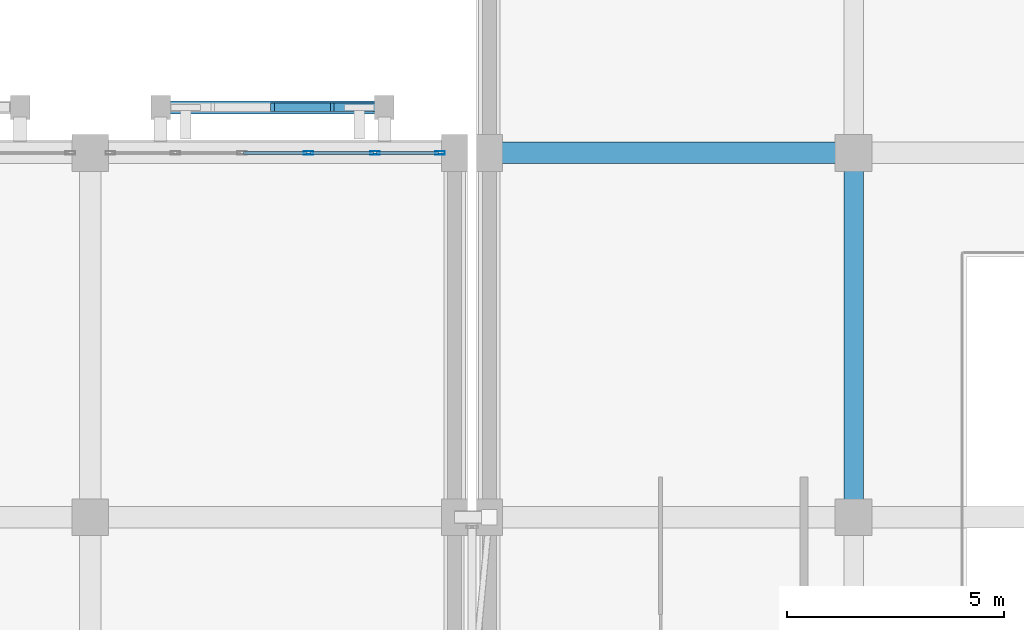
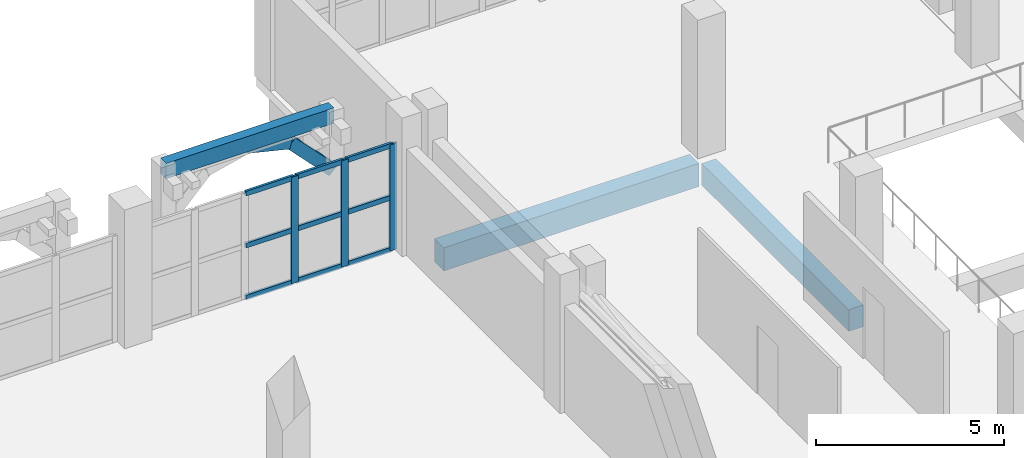
# One storey, part 66 of 137: 14 members, 3 beams, 1 element without a shape of its own.
"""IFC4 building model written with IfcOpenShell, lengths in metres."""

from ifc_helpers import new_model, si_unit, direction, frame, origin, origin_2d, place, context, subcontext, project, spatial, rectangle, hollow_rectangle, extrude, material, layer, layer_set, material_profile, profile_set, type_object, element, aggregate, save


model = new_model("IFC4")

# Units and contexts
model_context = context("Model", 3, precision=1e-05, world=origin(), true_north=direction((0.0, 1.0)))
body_context = subcontext(model_context, "Body", "Model", "MODEL_VIEW")
ifc_project = project(units=[si_unit("LENGTHUNIT", "METRE"), si_unit("AREAUNIT", "SQUARE_METRE"), si_unit("VOLUMEUNIT", "CUBIC_METRE"), si_unit("PLANEANGLEUNIT", "RADIAN"), si_unit("MASSUNIT", "GRAM", prefix="KILO")], contexts=[model_context])

# Site, building, storey
site_placement = place(None, origin())
site = spatial("IfcSite", under=ifc_project, at=site_placement, CompositionType="ELEMENT")
building_placement = place(site_placement, origin())
building = spatial("IfcBuilding", under=site, at=building_placement, Name="Xazarin Passage Department Store", CompositionType="ELEMENT")
storey_placement = place(building_placement, frame((0.0, 0.0, 5.39990234375)))
storey = spatial("IfcBuildingStorey", under=building, at=storey_placement, Name="L01", CompositionType="ELEMENT", Elevation=5.39990234375)

# Curtain wall, members
ifc_material_1 = material(Name="Bronze anodised aluminium", Category="aluminium")
ifc_layer = layer(ifc_material_1, 0.179931640625)
ifc_layer_set = layer_set([ifc_layer], Name="Bronze anodised aluminium")
curtain_wall_type = type_object("IfcCurtainWallType", Name="ARC-CW-VIT1", PredefinedType="NOTDEFINED", material=ifc_layer_set)
curtain_wall_placement = place(storey_placement, origin())
curtain_wall = element("IfcCurtainWall", 1, at=curtain_wall_placement, inside=storey, type_object=curtain_wall_type, Name="L01 V1 Curtain Wall 011", PredefinedType="NOTDEFINED")
ifc_material_profile_1 = material_profile(ifc_material_1, hollow_rectangle(XDim=0.074951171875, YDim=0.219970703125, WallThickness=0.0048828125, at=origin_2d()), Name="ALU 75x220")
ifc_profile_set_1 = profile_set([ifc_material_profile_1], Name="Bronze anodised aluminium")
member_type_1 = type_object("IfcMemberType", Name="ARC-CWM-75x220", PredefinedType="MULLION", material=ifc_profile_set_1)
member_1_placement = place(storey_placement, frame((63.830078125, 84.800048828125, 0.0), z_axis=(0.0, 0.0, 1.0), x_axis=(0.0, 1.0, 0.0)))
member_1 = element("IfcMember", 2, at=member_1_placement, type_object=member_type_1, Name="CW1 mullion 4", PredefinedType="MULLION", context=body_context, shape_type="SweptSolid", body=[
    extrude(hollow_rectangle(XDim=0.074951171875, YDim=0.219970703125, WallThickness=0.0048828125, at=origin_2d()), origin(), (0.0, 0.0, 1.0), 3.4501953125),
])
member_2_placement = place(storey_placement, frame((65.364990234375, 84.800048828125, 0.0), z_axis=(0.0, 0.0, 1.0), x_axis=(0.0, 1.0, 0.0)))
member_2 = element("IfcMember", 3, at=member_2_placement, type_object=member_type_1, Name="CW1 mullion 5", PredefinedType="MULLION", context=body_context, shape_type="SweptSolid", body=[
    extrude(hollow_rectangle(XDim=0.074951171875, YDim=0.219970703125, WallThickness=0.0048828125, at=origin_2d()), origin(), (0.0, 0.0, 1.0), 3.4501953125),
])
member_3_placement = place(storey_placement, frame((66.862548828125, 84.800048828125, 0.0), z_axis=(0.0, 0.0, 1.0), x_axis=(0.0, 1.0, 0.0)))
member_3 = element("IfcMember", 4, at=member_3_placement, type_object=member_type_1, Name="CW1 mullion 6", PredefinedType="MULLION", context=body_context, shape_type="SweptSolid", body=[
    extrude(hollow_rectangle(XDim=0.074951171875, YDim=0.219970703125, WallThickness=0.0048828125, at=origin_2d()), origin(), (0.0, 0.0, 1.0), 3.4501953125),
])
ifc_material_profile_2 = material_profile(ifc_material_1, hollow_rectangle(XDim=0.074951171875, YDim=0.159912109375, WallThickness=0.00439453125, at=origin_2d()), Name="ALU 75x160")
ifc_profile_set_2 = profile_set([ifc_material_profile_2], Name="Bronze anodised aluminium")
member_type_2 = type_object("IfcMemberType", Name="ARC-CWT-75x160", PredefinedType="USERDEFINED", material=ifc_profile_set_2)
member_4_placement = place(storey_placement, frame((62.33251953125, 84.800048828125, 0.03759765625), z_axis=(1.0, 0.0, 0.0), x_axis=(0.0, 1.0, 0.0)))
member_4 = element("IfcMember", 5, at=member_4_placement, type_object=member_type_2, Name="CW1 transom 3.1", ObjectType="TRANSOM", PredefinedType="USERDEFINED", context=body_context, shape_type="SweptSolid", body=[
    extrude(hollow_rectangle(XDim=0.074951171875, YDim=0.159912109375, WallThickness=0.00439453125, at=origin_2d()), origin(), (0.0, 0.0, 1.0), 1.4599609375),
])
member_5_placement = place(storey_placement, frame((62.33251953125, 84.800048828125, 1.72509765625), z_axis=(1.0, 0.0, 0.0), x_axis=(0.0, 1.0, 0.0)))
member_5 = element("IfcMember", 6, at=member_5_placement, type_object=member_type_2, Name="CW1 transom 3.2", ObjectType="TRANSOM", PredefinedType="USERDEFINED", context=body_context, shape_type="SweptSolid", body=[
    extrude(hollow_rectangle(XDim=0.074951171875, YDim=0.159912109375, WallThickness=0.00439453125, at=origin_2d()), origin(), (0.0, 0.0, 1.0), 1.4599609375),
])
member_6_placement = place(storey_placement, frame((62.33251953125, 84.800048828125, 3.41259765625), z_axis=(1.0, 0.0, 0.0), x_axis=(0.0, 1.0, 0.0)))
member_6 = element("IfcMember", 7, at=member_6_placement, type_object=member_type_2, Name="CW1 transom 3.3", ObjectType="TRANSOM", PredefinedType="USERDEFINED", context=body_context, shape_type="SweptSolid", body=[
    extrude(hollow_rectangle(XDim=0.074951171875, YDim=0.159912109375, WallThickness=0.00439453125, at=origin_2d()), origin(), (0.0, 0.0, 1.0), 1.4599609375),
])
member_7_placement = place(storey_placement, frame((63.867431640625, 84.800048828125, 0.03759765625), z_axis=(1.0, 0.0, 0.0), x_axis=(0.0, 1.0, 0.0)))
member_7 = element("IfcMember", 8, at=member_7_placement, type_object=member_type_2, Name="CW1 transom 4.1", ObjectType="TRANSOM", PredefinedType="USERDEFINED", context=body_context, shape_type="SweptSolid", body=[
    extrude(hollow_rectangle(XDim=0.074951171875, YDim=0.159912109375, WallThickness=0.00439453125, at=origin_2d()), origin(), (0.0, 0.0, 1.0), 1.4599609375),
])
member_8_placement = place(storey_placement, frame((63.867431640625, 84.800048828125, 1.72509765625), z_axis=(1.0, 0.0, 0.0), x_axis=(0.0, 1.0, 0.0)))
member_8 = element("IfcMember", 9, at=member_8_placement, type_object=member_type_2, Name="CW1 transom 4.2", ObjectType="TRANSOM", PredefinedType="USERDEFINED", context=body_context, shape_type="SweptSolid", body=[
    extrude(hollow_rectangle(XDim=0.074951171875, YDim=0.159912109375, WallThickness=0.00439453125, at=origin_2d()), origin(), (0.0, 0.0, 1.0), 1.4599609375),
])
member_9_placement = place(storey_placement, frame((63.867431640625, 84.800048828125, 3.41259765625), z_axis=(1.0, 0.0, 0.0), x_axis=(0.0, 1.0, 0.0)))
member_9 = element("IfcMember", 10, at=member_9_placement, type_object=member_type_2, Name="CW1 transom 4.3", ObjectType="TRANSOM", PredefinedType="USERDEFINED", context=body_context, shape_type="SweptSolid", body=[
    extrude(hollow_rectangle(XDim=0.074951171875, YDim=0.159912109375, WallThickness=0.00439453125, at=origin_2d()), origin(), (0.0, 0.0, 1.0), 1.4599609375),
])
member_10_placement = place(storey_placement, frame((65.402587890625, 84.800048828125, 0.03759765625), z_axis=(1.0, 0.0, 0.0), x_axis=(0.0, 1.0, 0.0)))
member_10 = element("IfcMember", 11, at=member_10_placement, type_object=member_type_2, Name="CW1 transom 5.1", ObjectType="TRANSOM", PredefinedType="USERDEFINED", context=body_context, shape_type="SweptSolid", body=[
    extrude(hollow_rectangle(XDim=0.074951171875, YDim=0.159912109375, WallThickness=0.00439453125, at=origin_2d()), origin(), (0.0, 0.0, 1.0), 1.42236328125),
])
member_11_placement = place(storey_placement, frame((65.402587890625, 84.800048828125, 1.72509765625), z_axis=(1.0, 0.0, 0.0), x_axis=(0.0, 1.0, 0.0)))
member_11 = element("IfcMember", 12, at=member_11_placement, type_object=member_type_2, Name="CW1 transom 5.2", ObjectType="TRANSOM", PredefinedType="USERDEFINED", context=body_context, shape_type="SweptSolid", body=[
    extrude(hollow_rectangle(XDim=0.074951171875, YDim=0.159912109375, WallThickness=0.00439453125, at=origin_2d()), origin(), (0.0, 0.0, 1.0), 1.42236328125),
])
member_12_placement = place(storey_placement, frame((65.402587890625, 84.800048828125, 3.41259765625), z_axis=(1.0, 0.0, 0.0), x_axis=(0.0, 1.0, 0.0)))
member_12 = element("IfcMember", 13, at=member_12_placement, type_object=member_type_2, Name="CW1 transom 5.3", ObjectType="TRANSOM", PredefinedType="USERDEFINED", context=body_context, shape_type="SweptSolid", body=[
    extrude(hollow_rectangle(XDim=0.074951171875, YDim=0.159912109375, WallThickness=0.00439453125, at=origin_2d()), origin(), (0.0, 0.0, 1.0), 1.42236328125),
])
aggregate(curtain_wall, [member_1, member_2, member_3, member_4, member_5, member_6, member_7, member_8, member_9, member_10, member_11, member_12])

# Beams
ifc_material_2 = material(Name="Concrete C35/45", Category="concrete")
ifc_material_profile_3 = material_profile(ifc_material_2, rectangle(XDim=0.449951171875, YDim=0.699951171875, at=origin_2d()), Name="RC 450x700")
ifc_profile_set_3 = profile_set([ifc_material_profile_3], Name="Concrete C35/45")
beam_type_1 = type_object("IfcBeamType", Name="STR-BM-G450x700", PredefinedType="BEAM", material=ifc_profile_set_3)
beam_1_placement = place(storey_placement, frame((76.39990234375, 76.679931640625, -0.64990234375), z_axis=(0.0, 1.0, 0.0), x_axis=(-1.0, 0.0, 0.0)))
element("IfcBeam", 14, at=beam_1_placement, inside=storey, type_object=beam_type_1, Name="L01 Grid Beam 11/L-M", PredefinedType="BEAM", context=body_context, shape_type="SweptSolid", body=[
    extrude(rectangle(XDim=0.449951171875, YDim=0.699951171875, at=origin_2d()), origin(), (0.0, 0.0, 1.0), 7.840087890625),
])
ifc_material_profile_4 = material_profile(ifc_material_2, rectangle(XDim=0.300048828125, YDim=0.5, at=origin_2d()), Name="RC 300x500")
ifc_profile_set_4 = profile_set([ifc_material_profile_4], Name="Concrete C35/45")
beam_type_2 = type_object("IfcBeamType", Name="STR-BM-LN300x500", PredefinedType="LINTEL", material=ifc_profile_set_4)
beam_2_placement = place(storey_placement, frame((60.419921875, 85.85009765625, 4.25), z_axis=(1.0, 0.0, 0.0), x_axis=(0.0, 1.0, 0.0)))
element("IfcBeam", 15, at=beam_2_placement, inside=storey, type_object=beam_type_2, Name="L01 V1 Colonnade Spandrel Beam 007", PredefinedType="LINTEL", context=body_context, shape_type="SweptSolid", body=[
    extrude(rectangle(XDim=0.300048828125, YDim=0.5, at=origin_2d()), origin(), (0.0, 0.0, 1.0), 5.16015625),
])
ifc_material_profile_5 = material_profile(ifc_material_2, rectangle(XDim=0.5, YDim=0.75, at=origin_2d()), Name="RC 500x750")
ifc_profile_set_5 = profile_set([ifc_material_profile_5], Name="Concrete C35/45")
beam_type_3 = type_object("IfcBeamType", Name="STR-BM-SP500x750", PredefinedType="SPANDREL", material=ifc_profile_set_5)
beam_3_placement = place(storey_placement, frame((68.280029296875, 84.800048828125, -0.6748046875), z_axis=(1.0, 0.0, 0.0), x_axis=(0.0, 1.0, 0.0)))
element("IfcBeam", 16, at=beam_3_placement, inside=storey, type_object=beam_type_3, Name="L01 Grid Beam M/10-11", PredefinedType="SPANDREL", context=body_context, shape_type="SweptSolid", body=[
    extrude(rectangle(XDim=0.5, YDim=0.75, at=origin_2d()), origin(), (0.0, 0.0, 1.0), 7.840087890625),
])

# Members
ifc_material_3 = material(Name="Concrete C40/50", Category="concrete")
ifc_material_profile_6 = material_profile(ifc_material_3, rectangle(XDim=0.199951171875, YDim=0.360107421875, at=origin_2d()), Name="RC 200x360")
ifc_profile_set_6 = profile_set([ifc_material_profile_6], Name="Concrete C40/50")
member_type_3 = type_object("IfcMemberType", Name="STR-MEM-ARC360", PredefinedType="CHORD", material=ifc_profile_set_6)
member_13_placement = place(storey_placement, frame((63.0, 85.85009765625, 4.080078125), z_axis=(0.972393983317, 0.0, -0.233345111818), x_axis=(0.0, 1.0, 0.0)))
element("IfcMember", 17, at=member_13_placement, inside=storey, type_object=member_type_3, Name="L01 V1 Pierced Lattice Curved Arch 007.3", PredefinedType="CHORD", context=body_context, shape_type="SweptSolid", body=[
    extrude(rectangle(XDim=0.199951171875, YDim=0.360107421875, at=origin_2d()), origin(), (0.0, 0.0, 1.0), 1.32666015625),
])
member_14_placement = place(storey_placement, frame((64.2900390625, 85.85009765625, 3.7705078125), z_axis=(0.693460080602, 0.0, -0.720495049679), x_axis=(0.0, 1.0, 0.0)))
element("IfcMember", 18, at=member_14_placement, inside=storey, type_object=member_type_3, Name="L01 V1 Pierced Lattice Curved Arch 007.4", PredefinedType="CHORD", context=body_context, shape_type="SweptSolid", body=[
    extrude(rectangle(XDim=0.199951171875, YDim=0.360107421875, at=origin_2d()), origin(), (0.0, 0.0, 1.0), 1.8603515625),
])

save(model, "model.ifc")
